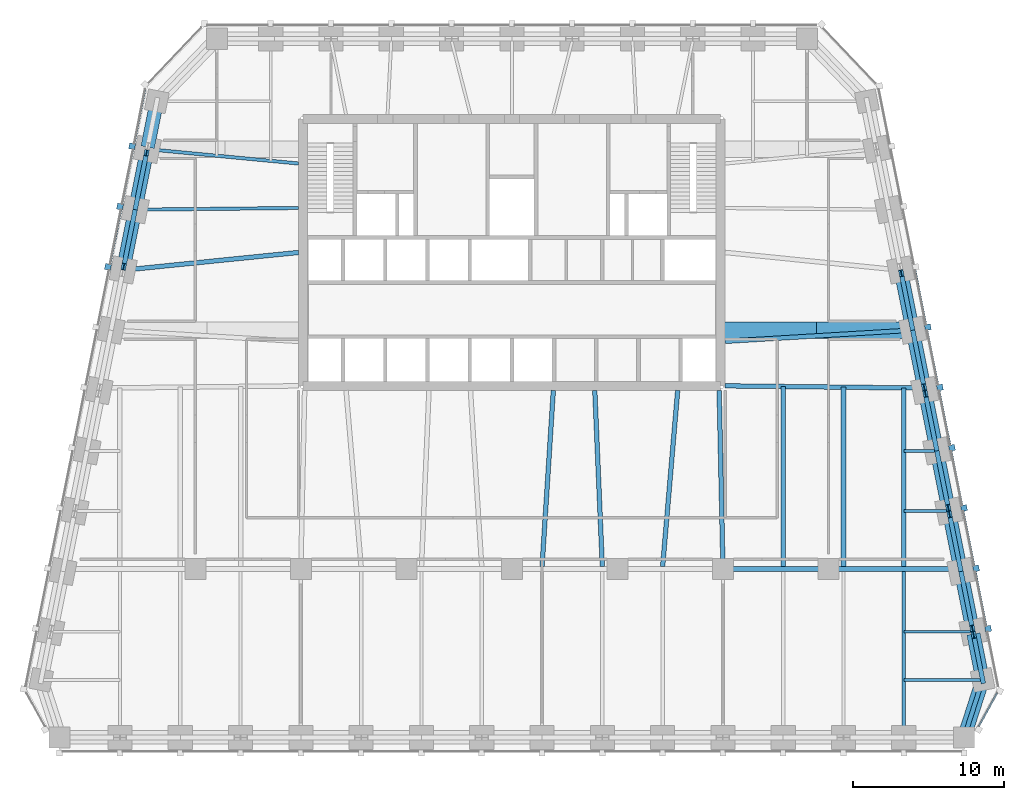
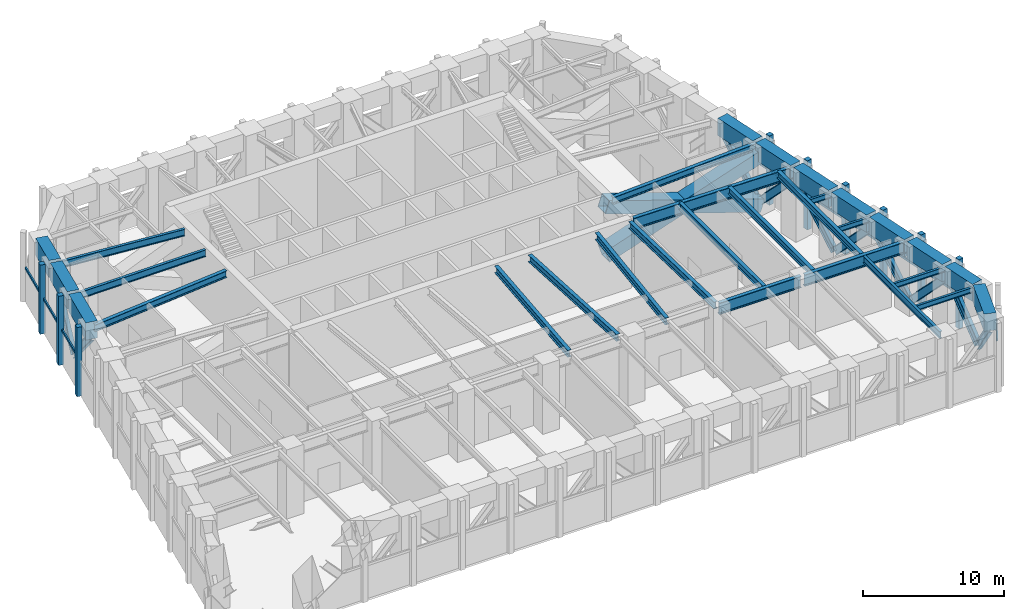
# One storey, part 3 of 9: 31 members, 30 beams, 3 elements without a shape of their own.
"""IFC4 building model written with IfcOpenShell, lengths in metres."""

from ifc_helpers import new_model, si_unit, direction, frame, origin, origin_2d, place, context, subcontext, project, spatial, rectangle, hollow_rectangle, i_section, extrude, material, material_profile, profile_set, type_object, element, aggregate, save


model = new_model("IFC4")

# Units and contexts
model_context = context("Model", 3, precision=1e-05, world=origin(), true_north=direction((0.0, 1.0)))
body_context = subcontext(model_context, "Body", "Model", "MODEL_VIEW")
ifc_project = project(units=[si_unit("LENGTHUNIT", "METRE"), si_unit("AREAUNIT", "SQUARE_METRE"), si_unit("VOLUMEUNIT", "CUBIC_METRE"), si_unit("PLANEANGLEUNIT", "RADIAN"), si_unit("MASSUNIT", "GRAM", prefix="KILO")], contexts=[model_context])

# Site, building, storey
site_placement = place(None, origin())
site = spatial("IfcSite", under=ifc_project, at=site_placement, CompositionType="ELEMENT")
building_placement = place(site_placement, origin())
building = spatial("IfcBuilding", under=site, at=building_placement, Name="Isbrekke Arena Tower", CompositionType="ELEMENT")
storey_placement = place(building_placement, frame((0.0, 0.0, 242.0)))
storey = spatial("IfcBuildingStorey", under=building, at=storey_placement, Name="L56", CompositionType="ELEMENT", Elevation=242.0)

# Beams
ifc_material_1 = material(Name="Steel S355", Category="steel")
ifc_material_profile_1 = material_profile(ifc_material_1, i_section(OverallWidth=0.219970703125, OverallDepth=0.60009765625, WebThickness=0.011962890625, FlangeThickness=0.01904296875, FilletRadius=0.02392578125, at=origin_2d()), Name="IPE 600")
ifc_profile_set_1 = profile_set([ifc_material_profile_1], Name="Steel S355")
beam_type_1 = type_object("IfcBeamType", Name="B1 IPE 600", PredefinedType="BEAM", material=ifc_profile_set_1)
beam_1_placement = place(storey_placement, frame((26.0, -17.02490234375, 5.550048828125), z_axis=(0.0, 1.0, 0.0), x_axis=(-1.0, 0.0, 0.0)))
element("IfcBeam", 1, at=beam_1_placement, inside=storey, type_object=beam_type_1, Name="B1 beam S-S15 L56", PredefinedType="BEAM", context=body_context, shape_type="SweptSolid", body=[
    extrude(i_section(OverallWidth=0.219970703125, OverallDepth=0.60009765625, WebThickness=0.011962890625, FlangeThickness=0.01904296875, FilletRadius=0.02392578125, at=origin_2d()), origin(), (0.0, 0.0, 1.0), 10.8740234375),
])
beam_2_placement = place(storey_placement, frame((-24.03076171875, 21.837158203125, 5.550048828125), z_axis=(0.99553133081, -0.094431823952, 0.0), x_axis=(0.094431823952, 0.99553133081, 0.0)))
element("IfcBeam", 2, at=beam_2_placement, inside=storey, type_object=beam_type_1, Name="B1 beam E-W02 L56", PredefinedType="BEAM", context=body_context, shape_type="SweptSolid", body=[
    extrude(i_section(OverallWidth=0.219970703125, OverallDepth=0.60009765625, WebThickness=0.011962890625, FlangeThickness=0.01904296875, FilletRadius=0.02392578125, at=origin_2d()), origin(), (0.0, 0.0, 1.0), 9.92529296875),
])
beam_3_placement = place(storey_placement, frame((-24.83984375, 17.838134765625, 5.550048828125), z_axis=(0.999945299061, 0.010459392202, 0.0), x_axis=(-0.010459392202, 0.999945299061, 0.0)))
element("IfcBeam", 3, at=beam_3_placement, inside=storey, type_object=beam_type_1, Name="B1 beam E-W03 L56", PredefinedType="BEAM", context=body_context, shape_type="SweptSolid", body=[
    extrude(i_section(OverallWidth=0.219970703125, OverallDepth=0.60009765625, WebThickness=0.011962890625, FlangeThickness=0.01904296875, FilletRadius=0.02392578125, at=origin_2d()), origin(), (0.0, 0.0, 1.0), 10.6904296875),
])
ifc_material_2 = material(Name="Steel S355", Category="steel")
ifc_material_profile_2 = material_profile(ifc_material_2, i_section(OverallWidth=0.18994140625, OverallDepth=0.449951171875, WebThickness=0.009521484375, FlangeThickness=0.0146484375, FilletRadius=0.02099609375, at=origin_2d()), Name="IPE 450")
ifc_profile_set_2 = profile_set([ifc_material_profile_2], Name="Steel S355")
beam_type_2 = type_object("IfcBeamType", Name="B2 IPE 450", PredefinedType="BEAM", material=ifc_profile_set_2)
beam_4_placement = place(storey_placement, frame((31.079345703125, -13.352783203125, 5.625), z_axis=(-1.0, 0.0, 0.0), x_axis=(0.0, -1.0, 0.0)))
element("IfcBeam", 4, at=beam_4_placement, inside=storey, type_object=beam_type_2, Name="B2 beam E-E01 L56", PredefinedType="BEAM", context=body_context, shape_type="SweptSolid", body=[
    extrude(i_section(OverallWidth=0.18994140625, OverallDepth=0.449951171875, WebThickness=0.009521484375, FlangeThickness=0.0146484375, FilletRadius=0.02099609375, at=origin_2d()), origin(), (0.0, 0.0, 1.0), 5.079345703125),
])
beam_5_placement = place(storey_placement, frame((30.44091796875, -10.161865234375, 5.625), z_axis=(-1.0, 0.0, 0.0), x_axis=(0.0, -1.0, 0.0)))
element("IfcBeam", 5, at=beam_5_placement, inside=storey, type_object=beam_type_2, Name="B2 beam E-E02 L56", PredefinedType="BEAM", context=body_context, shape_type="SweptSolid", body=[
    extrude(i_section(OverallWidth=0.18994140625, OverallDepth=0.449951171875, WebThickness=0.009521484375, FlangeThickness=0.0146484375, FilletRadius=0.02099609375, at=origin_2d()), origin(), (0.0, 0.0, 1.0), 4.44091796875),
])
beam_6_placement = place(storey_placement, frame((28.841064453125, -2.161865234375, 5.625), z_axis=(-1.0, 0.0, 0.0), x_axis=(0.0, -1.0, 0.0)))
element("IfcBeam", 6, at=beam_6_placement, inside=storey, type_object=beam_type_2, Name="B2 beam E-E04 L56", PredefinedType="BEAM", context=body_context, shape_type="SweptSolid", body=[
    extrude(i_section(OverallWidth=0.18994140625, OverallDepth=0.449951171875, WebThickness=0.009521484375, FlangeThickness=0.0146484375, FilletRadius=0.02099609375, at=origin_2d()), origin(), (0.0, 0.0, 1.0), 2.841064453125),
])
beam_7_placement = place(storey_placement, frame((28.041015625, 1.838134765625, 5.625), z_axis=(-1.0, 0.0, 0.0), x_axis=(0.0, -1.0, 0.0)))
element("IfcBeam", 7, at=beam_7_placement, inside=storey, type_object=beam_type_2, Name="B2 beam E-E05 L56", PredefinedType="BEAM", context=body_context, shape_type="SweptSolid", body=[
    extrude(i_section(OverallWidth=0.18994140625, OverallDepth=0.449951171875, WebThickness=0.009521484375, FlangeThickness=0.0146484375, FilletRadius=0.02099609375, at=origin_2d()), origin(), (0.0, 0.0, 1.0), 2.041015625),
])
ifc_material_3 = material(Name="Steel S355", Category="steel")
ifc_material_profile_3 = material_profile(ifc_material_3, i_section(OverallWidth=0.300048828125, OverallDepth=0.60009765625, WebThickness=0.015380859375, FlangeThickness=0.030029296875, FilletRadius=0.027099609375, at=origin_2d()), Name="HEB 600")
ifc_profile_set_3 = profile_set([ifc_material_profile_3], Name="Steel S355")
beam_type_3 = type_object("IfcBeamType", Name="B7 HEB 600", PredefinedType="BEAM", material=ifc_profile_set_3)
beam_8_placement = place(storey_placement, frame((2.000732421875, -5.83935546875, 5.550048828125), z_axis=(0.063966475255, 0.997952047968, 0.0), x_axis=(-0.997952047968, 0.063966475255, 0.0)))
element("IfcBeam", 8, at=beam_8_placement, inside=storey, type_object=beam_type_3, Name="B7 beam C-M08 L56", PredefinedType="BEAM", context=body_context, shape_type="SweptSolid", body=[
    extrude(i_section(OverallWidth=0.300048828125, OverallDepth=0.60009765625, WebThickness=0.015380859375, FlangeThickness=0.030029296875, FilletRadius=0.027099609375, at=origin_2d()), origin(), (0.0, 0.0, 1.0), 11.71337890625),
])
beam_9_placement = place(storey_placement, frame((5.999755859375, -5.842529296875, 5.550048828125), z_axis=(-0.042702124015, 0.999087848292, 0.0), x_axis=(-0.999087848292, -0.042702124015, 0.0)))
element("IfcBeam", 9, at=beam_9_placement, inside=storey, type_object=beam_type_3, Name="B7 beam C-M09 L56", PredefinedType="BEAM", context=body_context, shape_type="SweptSolid", body=[
    extrude(i_section(OverallWidth=0.300048828125, OverallDepth=0.60009765625, WebThickness=0.015380859375, FlangeThickness=0.030029296875, FilletRadius=0.027099609375, at=origin_2d()), origin(), (0.0, 0.0, 1.0), 11.703369140625),
])
beam_10_placement = place(storey_placement, frame((10.0009765625, -5.836181640625, 5.550048828125), z_axis=(0.085176202372, 0.996365903948, 0.0), x_axis=(-0.996365903948, 0.085176202372, 0.0)))
element("IfcBeam", 10, at=beam_10_placement, inside=storey, type_object=beam_type_3, Name="B7 beam C-M10 L56", PredefinedType="BEAM", context=body_context, shape_type="SweptSolid", body=[
    extrude(i_section(OverallWidth=0.300048828125, OverallDepth=0.60009765625, WebThickness=0.015380859375, FlangeThickness=0.030029296875, FilletRadius=0.027099609375, at=origin_2d()), origin(), (0.0, 0.0, 1.0), 11.72900390625),
])
beam_11_placement = place(storey_placement, frame((14.0, -5.8466796875, 5.550048828125), z_axis=(-0.021368528218, 0.999771666933, 0.0), x_axis=(-0.999771666933, -0.021368528218, 0.0)))
element("IfcBeam", 11, at=beam_11_placement, inside=storey, type_object=beam_type_3, Name="B7 beam C-M11 L56", PredefinedType="BEAM", context=body_context, shape_type="SweptSolid", body=[
    extrude(i_section(OverallWidth=0.300048828125, OverallDepth=0.60009765625, WebThickness=0.015380859375, FlangeThickness=0.030029296875, FilletRadius=0.027099609375, at=origin_2d()), origin(), (0.0, 0.0, 1.0), 11.699462890625),
])
beam_12_placement = place(storey_placement, frame((18.0, -5.84912109375, 5.550048828125), z_axis=(0.0, 1.0, 0.0), x_axis=(-1.0, 0.0, 0.0)))
element("IfcBeam", 12, at=beam_12_placement, inside=storey, type_object=beam_type_3, Name="B7 beam C-M12 L56", PredefinedType="BEAM", context=body_context, shape_type="SweptSolid", body=[
    extrude(i_section(OverallWidth=0.300048828125, OverallDepth=0.60009765625, WebThickness=0.015380859375, FlangeThickness=0.030029296875, FilletRadius=0.027099609375, at=origin_2d()), origin(), (0.0, 0.0, 1.0), 11.95556640625),
])
beam_13_placement = place(storey_placement, frame((22.0, -5.84912109375, 5.550048828125), z_axis=(0.0, 1.0, 0.0), x_axis=(-1.0, 0.0, 0.0)))
element("IfcBeam", 13, at=beam_13_placement, inside=storey, type_object=beam_type_3, Name="B7 beam C-M13 L56", PredefinedType="BEAM", context=body_context, shape_type="SweptSolid", body=[
    extrude(i_section(OverallWidth=0.300048828125, OverallDepth=0.60009765625, WebThickness=0.015380859375, FlangeThickness=0.030029296875, FilletRadius=0.027099609375, at=origin_2d()), origin(), (0.0, 0.0, 1.0), 11.91015625),
])
beam_14_placement = place(storey_placement, frame((26.0, -5.84912109375, 5.550048828125), z_axis=(0.0, 1.0, 0.0), x_axis=(-1.0, 0.0, 0.0)))
element("IfcBeam", 14, at=beam_14_placement, inside=storey, type_object=beam_type_3, Name="B7 beam C-M14 L56", PredefinedType="BEAM", context=body_context, shape_type="SweptSolid", body=[
    extrude(i_section(OverallWidth=0.300048828125, OverallDepth=0.60009765625, WebThickness=0.015380859375, FlangeThickness=0.030029296875, FilletRadius=0.027099609375, at=origin_2d()), origin(), (0.0, 0.0, 1.0), 11.864990234375),
])
beam_15_placement = place(storey_placement, frame((26.43212890625, 9.837646484375, 5.550048828125), z_axis=(-0.998201854902, -0.059942112659, 0.0), x_axis=(0.059942112659, -0.998201854902, 0.0)))
element("IfcBeam", 15, at=beam_15_placement, inside=storey, type_object=beam_type_3, Name="B7 beam E-E07 L56", PredefinedType="BEAM", context=body_context, shape_type="SweptSolid", body=[
    extrude(i_section(OverallWidth=0.300048828125, OverallDepth=0.60009765625, WebThickness=0.015380859375, FlangeThickness=0.030029296875, FilletRadius=0.027099609375, at=origin_2d()), origin(), (0.0, 0.0, 1.0), 12.304443359375),
])
beam_16_placement = place(storey_placement, frame((-25.6259765625, 13.83984375, 5.550048828125), z_axis=(0.994928891111, 0.100580821396, 0.0), x_axis=(-0.100580821396, 0.994928891111, 0.0)))
element("IfcBeam", 16, at=beam_16_placement, inside=storey, type_object=beam_type_3, Name="B7 beam E-W04 L56", PredefinedType="BEAM", context=body_context, shape_type="SweptSolid", body=[
    extrude(i_section(OverallWidth=0.300048828125, OverallDepth=0.60009765625, WebThickness=0.015380859375, FlangeThickness=0.030029296875, FilletRadius=0.027099609375, at=origin_2d()), origin(), (0.0, 0.0, 1.0), 11.53466796875),
])

# Members
ifc_material_4 = material(Name="Steel S355", Category="steel")
ifc_material_profile_4 = material_profile(ifc_material_4, i_section(OverallWidth=0.304931640625, OverallDepth=0.6201171875, WebThickness=0.02099609375, FlangeThickness=0.0400390625, FilletRadius=0.027099609375, at=origin_2d()), Name="HEM 600")
ifc_profile_set_4 = profile_set([ifc_material_profile_4], Name="Steel S355")
member_type_1 = type_object("IfcMemberType", Name="BT1 HEM 600", PredefinedType="BRACE", material=ifc_profile_set_4)
member_1_placement = place(storey_placement, frame((30.06689453125, -16.96728515625, 4.666259765625), z_axis=(0.208935562442, 0.649714556176, -0.730901447694), x_axis=(-0.951986403059, 0.306140308339, 0.0)))
element("IfcMember", 17, at=member_1_placement, inside=storey, type_object=member_type_1, Name="BT1 belt truss diagonal S16 L56", PredefinedType="BRACE", context=body_context, shape_type="SweptSolid", body=[
    extrude(i_section(OverallWidth=0.304931640625, OverallDepth=0.6201171875, WebThickness=0.02099609375, FlangeThickness=0.0400390625, FilletRadius=0.027099609375, at=origin_2d()), origin(), (0.0, 0.0, 1.0), 5.563232421875),
])
member_2_placement = place(storey_placement, frame((31.229248046875, -13.352783203125, 0.60009765625), z_axis=(-0.118346606157, 0.591733030783, 0.79739958684), x_axis=(-0.980580675691, -0.196116135138, 0.0)))
element("IfcMember", 18, at=member_2_placement, inside=storey, type_object=member_type_1, Name="BT1 belt truss diagonal E01 L56", PredefinedType="BRACE", context=body_context, shape_type="SweptSolid", body=[
    extrude(i_section(OverallWidth=0.304931640625, OverallDepth=0.6201171875, WebThickness=0.02099609375, FlangeThickness=0.0400390625, FilletRadius=0.027099609375, at=origin_2d()), origin(), (0.0, 0.0, 1.0), 5.0439453125),
])
for number, where, z_axis, x_axis, name in (
    (19, (30.548095703125, -9.947265625, 4.66943359375), (-0.134973713861, 0.674868569303, -0.725489152734), (-0.980580675691, -0.196116135138, 0.0), "BT1 belt truss diagonal E02 L56"),
    (20, (29.791015625, -6.161865234375, 0.60009765625), (-0.134973713861, 0.674868569303, 0.725489152734), (-0.980580675691, -0.196116135138, 0.0), "BT1 belt truss diagonal E03 L56"),
    (21, (28.947998046875, -1.947265625, 4.66943359375), (-0.134973713861, 0.674868569303, -0.725489152734), (-0.980580675691, -0.196116135138, 0.0), "BT1 belt truss diagonal E04 L56"),
    (22, (28.19091796875, 1.838134765625, 0.60009765625), (-0.134973713861, 0.674868569303, 0.725489152734), (-0.980580675691, -0.196116135138, 0.0), "BT1 belt truss diagonal E05 L56"),
    (23, (27.34814453125, 6.052734375, 4.66943359375), (-0.134973713861, 0.674868569303, -0.725489152734), (-0.980580675691, -0.196116135138, 0.0), "BT1 belt truss diagonal E06 L56"),
    (24, (26.591064453125, 9.838134765625, 0.60009765625), (-0.134973713861, 0.674868569303, 0.725489152734), (-0.980580675691, -0.196116135138, 0.0), "BT1 belt truss diagonal E07 L56"),
    (25, (-24.23388671875, 21.62353515625, 4.66943359375), (-0.134973713861, -0.674868569303, -0.725489152734), (0.980580675691, -0.196116135138, 0.0), "BT1 belt truss diagonal W02 L56"),
    (26, (-24.990966796875, 17.838134765625, 0.60009765625), (-0.134973713861, -0.674868569303, 0.725489152734), (0.980580675691, -0.196116135138, 0.0), "BT1 belt truss diagonal W03 L56"),
):
    element("IfcMember", number, at=place(storey_placement, frame(where, z_axis=z_axis, x_axis=x_axis)), inside=storey, type_object=member_type_1, Name=name, PredefinedType="BRACE", context=body_context, shape_type="SweptSolid", body=[
        extrude(i_section(OverallWidth=0.304931640625, OverallDepth=0.6201171875, WebThickness=0.02099609375, FlangeThickness=0.0400390625, FilletRadius=0.027099609375, at=origin_2d()), origin(), (0.0, 0.0, 1.0), 5.609130859375),
    ])

# Curtain wall, members
ifc_material_5 = material(Name="Glazed aluminium curtain wall", Category="aluminium")
curtain_wall_type = type_object("IfcCurtainWallType", Name="CWR PLANT LOUVRE WALL", PredefinedType="USERDEFINED", material=ifc_material_5)
curtain_wall_1_placement = place(storey_placement, origin())
curtain_wall_1 = element("IfcCurtainWall", 27, at=curtain_wall_1_placement, inside=storey, type_object=curtain_wall_type, Name="CWR curtain wall L56-E", ObjectType="PLANT LOUVRE WALL", PredefinedType="USERDEFINED")
ifc_material_6 = material(Name="Aluminium mullion, pale brick slip cladding", Category="masonry")
ifc_material_profile_5 = material_profile(ifc_material_6, rectangle(XDim=0.39990234375, YDim=0.39990234375, at=origin_2d()), Name="PIER 400X400")
ifc_profile_set_5 = profile_set([ifc_material_profile_5], Name="Aluminium mullion, pale brick slip cladding")
member_type_2 = type_object("IfcMemberType", Name="CWR-M PIER MULLION 400 x 400", PredefinedType="MULLION", material=ifc_profile_set_5)
member_3_placement = place(storey_placement, frame((31.59619140625, -9.960693359375, 0.0), z_axis=(0.0, 0.0, 1.0), x_axis=(-0.196116135138, 0.980580675691, 0.0)))
member_3 = element("IfcMember", 28, at=member_3_placement, type_object=member_type_2, Name="CWR-M mullion 1", PredefinedType="MULLION", context=body_context, shape_type="SweptSolid", body=[
    extrude(rectangle(XDim=0.39990234375, YDim=0.39990234375, at=origin_2d()), origin(), (0.0, 0.0, 1.0), 6.0),
])
member_4_placement = place(storey_placement, frame((30.796142578125, -5.960693359375, 0.0), z_axis=(0.0, 0.0, 1.0), x_axis=(-0.196116135138, 0.980580675691, 0.0)))
member_4 = element("IfcMember", 29, at=member_4_placement, type_object=member_type_2, Name="CWR-M mullion 2", PredefinedType="MULLION", context=body_context, shape_type="SweptSolid", body=[
    extrude(rectangle(XDim=0.39990234375, YDim=0.39990234375, at=origin_2d()), origin(), (0.0, 0.0, 1.0), 6.0),
])
member_5_placement = place(storey_placement, frame((29.99609375, -1.960693359375, 0.0), z_axis=(0.0, 0.0, 1.0), x_axis=(-0.196116135138, 0.980580675691, 0.0)))
member_5 = element("IfcMember", 30, at=member_5_placement, type_object=member_type_2, Name="CWR-M mullion 3", PredefinedType="MULLION", context=body_context, shape_type="SweptSolid", body=[
    extrude(rectangle(XDim=0.39990234375, YDim=0.39990234375, at=origin_2d()), origin(), (0.0, 0.0, 1.0), 6.0),
])
member_6_placement = place(storey_placement, frame((29.196044921875, 2.039306640625, 0.0), z_axis=(0.0, 0.0, 1.0), x_axis=(-0.196116135138, 0.980580675691, 0.0)))
member_6 = element("IfcMember", 31, at=member_6_placement, type_object=member_type_2, Name="CWR-M mullion 4", PredefinedType="MULLION", context=body_context, shape_type="SweptSolid", body=[
    extrude(rectangle(XDim=0.39990234375, YDim=0.39990234375, at=origin_2d()), origin(), (0.0, 0.0, 1.0), 6.0),
])
member_7_placement = place(storey_placement, frame((28.39599609375, 6.039306640625, 0.0), z_axis=(0.0, 0.0, 1.0), x_axis=(-0.196116135138, 0.980580675691, 0.0)))
member_7 = element("IfcMember", 32, at=member_7_placement, type_object=member_type_2, Name="CWR-M mullion 5", PredefinedType="MULLION", context=body_context, shape_type="SweptSolid", body=[
    extrude(rectangle(XDim=0.39990234375, YDim=0.39990234375, at=origin_2d()), origin(), (0.0, 0.0, 1.0), 6.0),
])
member_8_placement = place(storey_placement, frame((27.59619140625, 10.039306640625, 0.0), z_axis=(0.0, 0.0, 1.0), x_axis=(-0.196116135138, 0.980580675691, 0.0)))
member_8 = element("IfcMember", 33, at=member_8_placement, type_object=member_type_2, Name="CWR-M mullion 6", PredefinedType="MULLION", context=body_context, shape_type="SweptSolid", body=[
    extrude(rectangle(XDim=0.39990234375, YDim=0.39990234375, at=origin_2d()), origin(), (0.0, 0.0, 1.0), 6.0),
])

curtain_wall_2_placement = place(storey_placement, origin())
curtain_wall_2 = element("IfcCurtainWall", 34, at=curtain_wall_2_placement, inside=storey, type_object=curtain_wall_type, Name="CWR curtain wall L56-W", ObjectType="PLANT LOUVRE WALL", PredefinedType="USERDEFINED")
member_9_placement = place(storey_placement, frame((-25.196044921875, 22.039306640625, 0.0), z_axis=(0.0, 0.0, 1.0), x_axis=(-0.196116135138, -0.980580675691, 0.0)))
member_9 = element("IfcMember", 35, at=member_9_placement, type_object=member_type_2, Name="CWR-M mullion 1", PredefinedType="MULLION", context=body_context, shape_type="SweptSolid", body=[
    extrude(rectangle(XDim=0.39990234375, YDim=0.39990234375, at=origin_2d()), origin(), (0.0, 0.0, 1.0), 6.0),
])
member_10_placement = place(storey_placement, frame((-25.99609375, 18.039306640625, 0.0), z_axis=(0.0, 0.0, 1.0), x_axis=(-0.196116135138, -0.980580675691, 0.0)))
member_10 = element("IfcMember", 36, at=member_10_placement, type_object=member_type_2, Name="CWR-M mullion 2", PredefinedType="MULLION", context=body_context, shape_type="SweptSolid", body=[
    extrude(rectangle(XDim=0.39990234375, YDim=0.39990234375, at=origin_2d()), origin(), (0.0, 0.0, 1.0), 6.0),
])
member_11_placement = place(storey_placement, frame((-26.796142578125, 14.039306640625, 0.0), z_axis=(0.0, 0.0, 1.0), x_axis=(-0.196116135138, -0.980580675691, 0.0)))
member_11 = element("IfcMember", 37, at=member_11_placement, type_object=member_type_2, Name="CWR-M mullion 3", PredefinedType="MULLION", context=body_context, shape_type="SweptSolid", body=[
    extrude(rectangle(XDim=0.39990234375, YDim=0.39990234375, at=origin_2d()), origin(), (0.0, 0.0, 1.0), 6.0),
])

# Curtain wall, member
curtain_wall_3_placement = place(storey_placement, origin())
curtain_wall_3 = element("IfcCurtainWall", 38, at=curtain_wall_3_placement, inside=storey, type_object=curtain_wall_type, Name="CWR curtain wall L56-SE", ObjectType="PLANT LOUVRE WALL", PredefinedType="USERDEFINED")
ifc_material_7 = material(Name="Aluminium transom", Category="aluminium")
ifc_material_profile_6 = material_profile(ifc_material_7, rectangle(XDim=0.1201171875, YDim=0.199951171875, at=origin_2d()), Name="TRANSOM 120X200")
ifc_profile_set_6 = profile_set([ifc_material_profile_6], Name="Aluminium transom")
member_type_3 = type_object("IfcMemberType", Name="CWR-T TRANSOM 120 x 200", PredefinedType="USERDEFINED", material=ifc_profile_set_6)
member_12_placement = place(storey_placement, frame((30.97802734375, -16.42919921875, 3.0), z_axis=(0.481900135208, 0.876226146429, 0.0), x_axis=(-0.876226146429, 0.481900135208, 0.0)))
member_12 = element("IfcMember", 39, at=member_12_placement, type_object=member_type_3, Name="CWR-T transom 1", ObjectType="TRANSOM", PredefinedType="USERDEFINED", context=body_context, shape_type="SweptSolid", body=[
    extrude(rectangle(XDim=0.1201171875, YDim=0.199951171875, at=origin_2d()), origin(), (0.0, 0.0, 1.0), 2.517333984375),
])
aggregate(curtain_wall_3, [member_12])

# Member
member_13_placement = place(storey_placement, frame((31.458740234375, -9.7841796875, 3.0), z_axis=(-0.19609061241, 0.980585779891, 0.0), x_axis=(-0.980585779891, -0.19609061241, 0.0)))
member_13 = element("IfcMember", 40, at=member_13_placement, type_object=member_type_3, Name="CWR-T transom 2", ObjectType="TRANSOM", PredefinedType="USERDEFINED", context=body_context, shape_type="SweptSolid", body=[
    extrude(rectangle(XDim=0.1201171875, YDim=0.199951171875, at=origin_2d()), origin(), (0.0, 0.0, 1.0), 3.67919921875),
])

member_14_placement = place(storey_placement, frame((30.658935546875, -5.7841796875, 3.0), z_axis=(-0.196154418484, 0.980573018245, 0.0), x_axis=(-0.980573018245, -0.196154418484, 0.0)))
member_14 = element("IfcMember", 41, at=member_14_placement, type_object=member_type_3, Name="CWR-T transom 3", ObjectType="TRANSOM", PredefinedType="USERDEFINED", context=body_context, shape_type="SweptSolid", body=[
    extrude(rectangle(XDim=0.1201171875, YDim=0.199951171875, at=origin_2d()), origin(), (0.0, 0.0, 1.0), 3.67919921875),
])

member_15_placement = place(storey_placement, frame((29.85888671875, -1.7841796875, 3.0), z_axis=(-0.196154418484, 0.980573018245, 0.0), x_axis=(-0.980573018245, -0.196154418484, 0.0)))
member_15 = element("IfcMember", 42, at=member_15_placement, type_object=member_type_3, Name="CWR-T transom 4", ObjectType="TRANSOM", PredefinedType="USERDEFINED", context=body_context, shape_type="SweptSolid", body=[
    extrude(rectangle(XDim=0.1201171875, YDim=0.199951171875, at=origin_2d()), origin(), (0.0, 0.0, 1.0), 3.67919921875),
])

member_16_placement = place(storey_placement, frame((29.058837890625, 2.2158203125, 3.0), z_axis=(-0.19609061241, 0.980585779891, 0.0), x_axis=(-0.980585779891, -0.19609061241, 0.0)))
member_16 = element("IfcMember", 43, at=member_16_placement, type_object=member_type_3, Name="CWR-T transom 5", ObjectType="TRANSOM", PredefinedType="USERDEFINED", context=body_context, shape_type="SweptSolid", body=[
    extrude(rectangle(XDim=0.1201171875, YDim=0.199951171875, at=origin_2d()), origin(), (0.0, 0.0, 1.0), 3.67919921875),
])

member_17_placement = place(storey_placement, frame((28.2587890625, 6.2158203125, 3.0), z_axis=(-0.19609061241, 0.980585779891, 0.0), x_axis=(-0.980585779891, -0.19609061241, 0.0)))
member_17 = element("IfcMember", 44, at=member_17_placement, type_object=member_type_3, Name="CWR-T transom 6", ObjectType="TRANSOM", PredefinedType="USERDEFINED", context=body_context, shape_type="SweptSolid", body=[
    extrude(rectangle(XDim=0.1201171875, YDim=0.199951171875, at=origin_2d()), origin(), (0.0, 0.0, 1.0), 3.67919921875),
])

member_18_placement = place(storey_placement, frame((27.458740234375, 10.2158203125, 3.0), z_axis=(-0.19609061241, 0.980585779891, 0.0), x_axis=(-0.980585779891, -0.19609061241, 0.0)))
member_18 = element("IfcMember", 45, at=member_18_placement, type_object=member_type_3, Name="CWR-T transom 7", ObjectType="TRANSOM", PredefinedType="USERDEFINED", context=body_context, shape_type="SweptSolid", body=[
    extrude(rectangle(XDim=0.1201171875, YDim=0.199951171875, at=origin_2d()), origin(), (0.0, 0.0, 1.0), 3.67919921875),
])

aggregate(curtain_wall_1, [member_3, member_4, member_5, member_6, member_7, member_8, member_13, member_14, member_15, member_16, member_17, member_18])

member_19_placement = place(storey_placement, frame((-24.33740234375, 25.823486328125, 3.0), z_axis=(-0.19609061241, -0.980585779891, 0.0), x_axis=(0.980585779891, -0.19609061241, 0.0)))
member_19 = element("IfcMember", 46, at=member_19_placement, type_object=member_type_3, Name="CWR-T transom 1", ObjectType="TRANSOM", PredefinedType="USERDEFINED", context=body_context, shape_type="SweptSolid", body=[
    extrude(rectangle(XDim=0.1201171875, YDim=0.199951171875, at=origin_2d()), origin(), (0.0, 0.0, 1.0), 3.67919921875),
])

member_20_placement = place(storey_placement, frame((-25.13720703125, 21.823486328125, 3.0), z_axis=(-0.196154418484, -0.980573018245, 0.0), x_axis=(0.980573018245, -0.196154418484, 0.0)))
member_20 = element("IfcMember", 47, at=member_20_placement, type_object=member_type_3, Name="CWR-T transom 2", ObjectType="TRANSOM", PredefinedType="USERDEFINED", context=body_context, shape_type="SweptSolid", body=[
    extrude(rectangle(XDim=0.1201171875, YDim=0.199951171875, at=origin_2d()), origin(), (0.0, 0.0, 1.0), 3.67919921875),
])

member_21_placement = place(storey_placement, frame((-25.937255859375, 17.823486328125, 3.0), z_axis=(-0.196154418484, -0.980573018245, 0.0), x_axis=(0.980573018245, -0.196154418484, 0.0)))
member_21 = element("IfcMember", 48, at=member_21_placement, type_object=member_type_3, Name="CWR-T transom 3", ObjectType="TRANSOM", PredefinedType="USERDEFINED", context=body_context, shape_type="SweptSolid", body=[
    extrude(rectangle(XDim=0.1201171875, YDim=0.199951171875, at=origin_2d()), origin(), (0.0, 0.0, 1.0), 3.67919921875),
])

aggregate(curtain_wall_2, [member_9, member_10, member_11, member_19, member_20, member_21])

# Beams
ifc_material_8 = material(Name="Steel S355", Category="steel")
ifc_material_profile_7 = material_profile(ifc_material_8, i_section(OverallWidth=0.302001953125, OverallDepth=1.008056640625, WebThickness=0.02099609375, FlangeThickness=0.0400390625, FilletRadius=0.030029296875, at=origin_2d()), Name="HEM 1000")
ifc_profile_set_7 = profile_set([ifc_material_profile_7], Name="Steel S355")
beam_type_4 = type_object("IfcBeamType", Name="G1 HEM 1000", PredefinedType="BEAM", material=ifc_profile_set_7)
beam_17_placement = place(storey_placement, frame((14.14990234375, -6.0, 5.345947265625), z_axis=(1.0, 0.0, 0.0), x_axis=(0.0, 1.0, 0.0)))
element("IfcBeam", 49, at=beam_17_placement, inside=storey, type_object=beam_type_4, Name="G1 beam G1-07 L56", PredefinedType="BEAM", context=body_context, shape_type="SweptSolid", body=[
    extrude(i_section(OverallWidth=0.302001953125, OverallDepth=1.008056640625, WebThickness=0.02099609375, FlangeThickness=0.0400390625, FilletRadius=0.030029296875, at=origin_2d()), origin(), (0.0, 0.0, 1.0), 6.7001953125),
])
beam_18_placement = place(storey_placement, frame((21.14990234375, -6.0, 5.345947265625), z_axis=(1.0, 0.0, 0.0), x_axis=(0.0, 1.0, 0.0)))
element("IfcBeam", 50, at=beam_18_placement, inside=storey, type_object=beam_type_4, Name="G1 beam G1-08 L56", PredefinedType="BEAM", context=body_context, shape_type="SweptSolid", body=[
    extrude(i_section(OverallWidth=0.302001953125, OverallDepth=1.008056640625, WebThickness=0.02099609375, FlangeThickness=0.0400390625, FilletRadius=0.030029296875, at=origin_2d()), origin(), (0.0, 0.0, 1.0), 8.64111328125),
])
ifc_material_9 = material(Name="Steel S355", Category="steel")
ifc_material_profile_8 = material_profile(ifc_material_9, i_section(OverallWidth=0.302001953125, OverallDepth=1.008056640625, WebThickness=0.02099609375, FlangeThickness=0.0400390625, FilletRadius=0.030029296875, at=origin_2d()), Name="HEM 1000")
ifc_profile_set_8 = profile_set([ifc_material_profile_8], Name="Steel S355")
beam_type_5 = type_object("IfcBeamType", Name="G2 HEM 1000", PredefinedType="BEAM", material=ifc_profile_set_8)
beam_19_placement = place(storey_placement, frame((14.14990234375, 6.14990234375, 5.345947265625), z_axis=(0.999935908299, -0.011321629528, 0.0), x_axis=(0.011321629528, 0.999935908299, 0.0)))
element("IfcBeam", 51, at=beam_19_placement, inside=storey, type_object=beam_type_5, Name="G2 beam G2-E L56", PredefinedType="BEAM", context=body_context, shape_type="SweptSolid", body=[
    extrude(i_section(OverallWidth=0.302001953125, OverallDepth=1.008056640625, WebThickness=0.02099609375, FlangeThickness=0.0400390625, FilletRadius=0.030029296875, at=origin_2d()), origin(), (0.0, 0.0, 1.0), 13.240234375),
])

# Members
ifc_material_10 = material(Name="Steel S460", Category="steel")
ifc_material_profile_9 = material_profile(ifc_material_10, hollow_rectangle(XDim=1.10009765625, YDim=1.10009765625, WallThickness=0.050048828125, at=origin_2d()), Name="BOX 1100x1100x50")
ifc_profile_set_9 = profile_set([ifc_material_profile_9], Name="Steel S460")
member_type_4 = type_object("IfcMemberType", Name="OT1 BOX 1100x1100x50", PredefinedType="BRACE", material=ifc_profile_set_9)
for number, where, z_axis, x_axis, name in (
    (52, (13.85009765625, 9.838134765625, 0.60009765625), (0.947498398671, 0.0, 0.319760511189), (0.0, 1.0, 0.0), "OT1 outrigger E L56 1"),
    (53, (13.85009765625, 9.838134765625, 4.89990234375), (0.947498398671, 0.0, -0.319760511189), (0.0, 1.0, 0.0), "OT1 outrigger E L56 2"),
):
    element("IfcMember", number, at=place(storey_placement, frame(where, z_axis=z_axis, x_axis=x_axis)), inside=storey, type_object=member_type_4, Name=name, PredefinedType="BRACE", context=body_context, shape_type="SweptSolid", body=[
        extrude(hollow_rectangle(XDim=1.10009765625, YDim=1.10009765625, WallThickness=0.050048828125, at=origin_2d()), origin(), (0.0, 0.0, 1.0), 13.447021484375),
    ])

# Beams
ifc_material_11 = material(Name="Concrete B65 (C65/80)", Category="concrete")
ifc_material_profile_10 = material_profile(ifc_material_11, rectangle(XDim=0.89990234375, YDim=1.5, at=origin_2d()), Name="RC 900x1500")
ifc_profile_set_10 = profile_set([ifc_material_profile_10], Name="Concrete B65 (C65/80)")
beam_type_6 = type_object("IfcBeamType", Name="SB3 RC 900 x 1500", PredefinedType="SPANDREL", material=ifc_profile_set_10)
beam_20_placement = place(storey_placement, frame((30.0458984375, -17.0322265625, 5.25), z_axis=(0.306175101476, 0.951975213562, 0.0), x_axis=(-0.951975213562, 0.306175101476, 0.0)))
element("IfcBeam", 54, at=beam_20_placement, inside=storey, type_object=beam_type_6, Name="SB3 spandrel S16-E01 L56", PredefinedType="SPANDREL", context=body_context, shape_type="SweptSolid", body=[
    extrude(rectangle(XDim=0.89990234375, YDim=1.5, at=origin_2d()), origin(), (0.0, 0.0, 1.0), 3.715087890625),
])
beam_21_placement = place(storey_placement, frame((31.19970703125, -13.205810546875, 5.25), z_axis=(-0.196100243168, 0.980583853951, 0.0), x_axis=(-0.980583853951, -0.196100243168, 0.0)))
element("IfcBeam", 55, at=beam_21_placement, inside=storey, type_object=beam_type_6, Name="SB3 spandrel E01-E02 L56", PredefinedType="SPANDREL", context=body_context, shape_type="SweptSolid", body=[
    extrude(rectangle(XDim=0.89990234375, YDim=1.5, at=origin_2d()), origin(), (0.0, 0.0, 1.0), 2.954345703125),
])
beam_22_placement = place(storey_placement, frame((30.5615234375, -10.0146484375, 5.25), z_axis=(-0.1960664412, 0.980590613169, 0.0), x_axis=(-0.980590613169, -0.1960664412, 0.0)))
element("IfcBeam", 56, at=beam_22_placement, inside=storey, type_object=beam_type_6, Name="SB3 spandrel E02-E03 L56", PredefinedType="SPANDREL", context=body_context, shape_type="SweptSolid", body=[
    extrude(rectangle(XDim=0.89990234375, YDim=1.5, at=origin_2d()), origin(), (0.0, 0.0, 1.0), 3.779052734375),
])
for number, where, z_axis, x_axis, name in (
    (57, (29.76171875, -6.0146484375, 5.25), (-0.196128558387, 0.980578190959, 0.0), (-0.980578190959, -0.196128558387, 0.0), "SB3 spandrel E03-E04 L56"),
    (58, (28.961669921875, -2.0146484375, 5.25), (-0.196128558387, 0.980578190959, 0.0), (-0.980578190959, -0.196128558387, 0.0), "SB3 spandrel E04-E05 L56"),
    (59, (28.16162109375, 1.9853515625, 5.25), (-0.196128558387, 0.980578190959, 0.0), (-0.980578190959, -0.196128558387, 0.0), "SB3 spandrel E05-E06 L56"),
    (60, (27.361572265625, 5.9853515625, 5.25), (-0.196128558387, 0.980578190959, 0.0), (-0.980578190959, -0.196128558387, 0.0), "SB3 spandrel E06-E07 L56"),
):
    element("IfcBeam", number, at=place(storey_placement, frame(where, z_axis=z_axis, x_axis=x_axis)), inside=storey, type_object=beam_type_6, Name=name, PredefinedType="SPANDREL", context=body_context, shape_type="SweptSolid", body=[
        extrude(rectangle(XDim=0.89990234375, YDim=1.5, at=origin_2d()), origin(), (0.0, 0.0, 1.0), 3.779296875),
    ])
beam_23_placement = place(storey_placement, frame((26.5615234375, 9.9853515625, 5.25), z_axis=(-0.1960664412, 0.980590613169, 0.0), x_axis=(-0.980590613169, -0.1960664412, 0.0)))
element("IfcBeam", 61, at=beam_23_placement, inside=storey, type_object=beam_type_6, Name="SB3 spandrel E07-E08 L56", PredefinedType="SPANDREL", context=body_context, shape_type="SweptSolid", body=[
    extrude(rectangle(XDim=0.89990234375, YDim=1.5, at=origin_2d()), origin(), (0.0, 0.0, 1.0), 3.779052734375),
])
beam_24_placement = place(storey_placement, frame((-23.582275390625, 24.882080078125, 5.25), z_axis=(-0.196116135138, -0.980580675691, 0.0), x_axis=(0.980580675691, -0.196116135138, 0.0)))
element("IfcBeam", 62, at=beam_24_placement, inside=storey, type_object=beam_type_6, Name="SB3 spandrel W01-W02 L56", PredefinedType="SPANDREL", context=body_context, shape_type="SweptSolid", body=[
    extrude(rectangle(XDim=0.89990234375, YDim=1.5, at=origin_2d()), origin(), (0.0, 0.0, 1.0), 2.9541015625),
])
for number, where, z_axis, x_axis, name in (
    (63, (-24.220458984375, 21.691162109375, 5.25), (-0.196128558387, -0.980578190959, 0.0), (0.980578190959, -0.196128558387, 0.0), "SB3 spandrel W02-W03 L56"),
    (64, (-25.0205078125, 17.691162109375, 5.25), (-0.196128558387, -0.980578190959, 0.0), (0.980578190959, -0.196128558387, 0.0), "SB3 spandrel W03-W04 L56"),
):
    element("IfcBeam", number, at=place(storey_placement, frame(where, z_axis=z_axis, x_axis=x_axis)), inside=storey, type_object=beam_type_6, Name=name, PredefinedType="SPANDREL", context=body_context, shape_type="SweptSolid", body=[
        extrude(rectangle(XDim=0.89990234375, YDim=1.5, at=origin_2d()), origin(), (0.0, 0.0, 1.0), 3.779296875),
    ])

save(model, "model.ifc")
